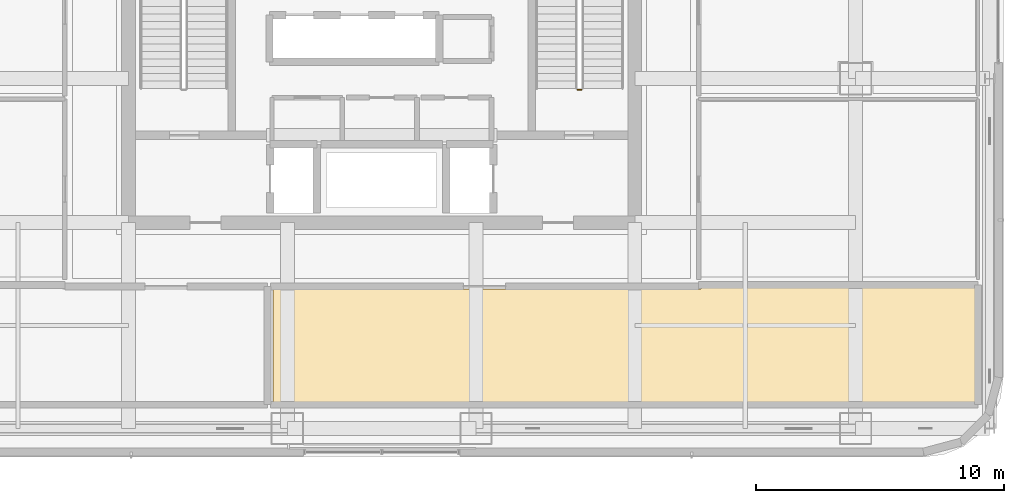
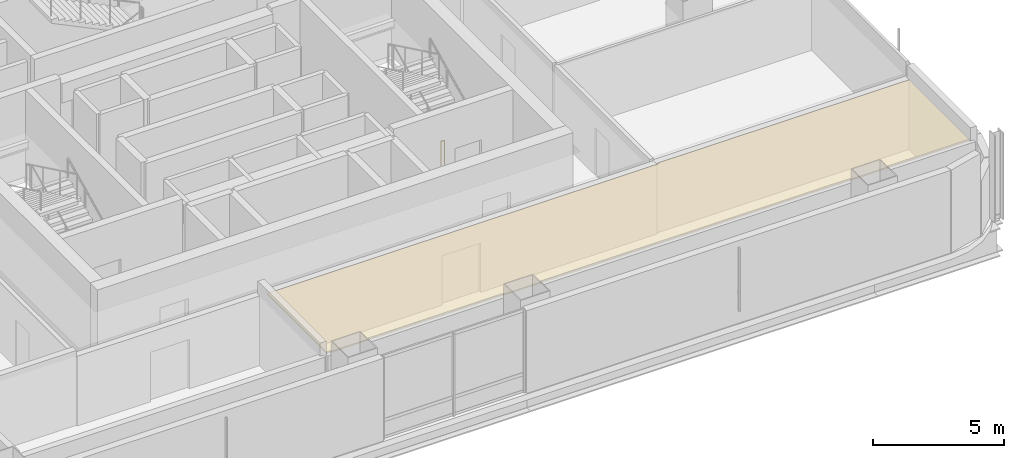
# One storey, part 23 of 30: 1 covering, 1 railing.
"""IFC4 building model written with IfcOpenShell, lengths in metres."""

from ifc_helpers import new_model, si_unit, direction, frame, origin, origin_2d, place, context, subcontext, project, spatial, polyline, circle, outline, extrude, material, layer, layer_set, type_object, element, save


model = new_model("IFC4")

# Units and contexts
model_context = context("Model", 3, precision=1e-05, world=origin(), true_north=direction((0.0, 1.0)))
body_context = subcontext(model_context, "Body", "Model", "MODEL_VIEW")
ifc_project = project(units=[si_unit("LENGTHUNIT", "METRE"), si_unit("AREAUNIT", "SQUARE_METRE"), si_unit("VOLUMEUNIT", "CUBIC_METRE"), si_unit("PLANEANGLEUNIT", "RADIAN"), si_unit("MASSUNIT", "GRAM", prefix="KILO")], contexts=[model_context])

# Site, building, storey
site_placement = place(None, origin())
site = spatial("IfcSite", under=ifc_project, at=site_placement, CompositionType="ELEMENT")
building_placement = place(site_placement, origin())
building = spatial("IfcBuilding", under=site, at=building_placement, Name="Punatoya Terracotta Tower", CompositionType="ELEMENT")
storey_placement = place(building_placement, frame((0.0, 0.0, 251.39990234375)))
storey = spatial("IfcBuildingStorey", under=building, at=storey_placement, Name="L59", CompositionType="ELEMENT", Elevation=251.39990234375)

# Covering
ifc_material_1 = material(Name="Acoustic Mineral Fibre Ceiling")
ifc_layer = layer(ifc_material_1, 0.06005859375)
ifc_layer_set = layer_set([ifc_layer], Name="Acoustic Mineral Fibre Ceiling")
covering_type = type_object("IfcCoveringType", Name="COV-CEIL-60", PredefinedType="CEILING", material=ifc_layer_set)
covering_placement = place(storey_placement, frame((0.0, 0.0, 3.16015625)))
element("IfcCovering", 1, at=covering_placement, inside=storey, type_object=covering_type, Name="L59 Executive Bistro Lounge Acoustic Ceiling", PredefinedType="CEILING", context=body_context, shape_type="SweptSolid", body=[
    extrude(outline(polyline([(12.8701171875, -11.8701171875), (-4.385009765625, -11.8701171875), (-4.385009765625, -16.43994140625), (23.93994140625, -16.43994140625), (23.93994140625, -11.81005859375), (12.8701171875, -11.81005859375), (12.8701171875, -11.8701171875)])), origin(), (0.0, 0.0, 1.0), 0.06005859375),
])

# Railing
ifc_material_2 = material(Name="Steel S355", Category="steel")
railing_type = type_object("IfcRailingType", Name="RLG-GRD-1150", PredefinedType="GUARDRAIL", material=ifc_material_2)
railing_placement = place(storey_placement, frame((8.050048828125, -3.85009765625, 0.0)))
element("IfcRailing", 2, at=railing_placement, inside=storey, type_object=railing_type, Name="L59 ST-2 stair guard 4", PredefinedType="GUARDRAIL", context=body_context, shape_type="SweptSolid", body=[
    extrude(circle(Radius=0.02392578125, at=origin_2d()), frame((0.0, 0.0, 1.1259765625), z_axis=(-1.0, 0.0, 0.0), x_axis=(0.0, -1.0, 0.0)), (0.0, 0.0, 1.0), 0.150146484375),
    extrude(circle(Radius=0.02099609375, at=origin_2d()), origin(), (0.0, 0.0, 1.0), 1.101806640625),
    extrude(circle(Radius=0.02099609375, at=origin_2d()), frame((-0.150146484375, 0.0, 0.0)), (0.0, 0.0, 1.0), 1.101806640625),
])

save(model, "model.ifc")
